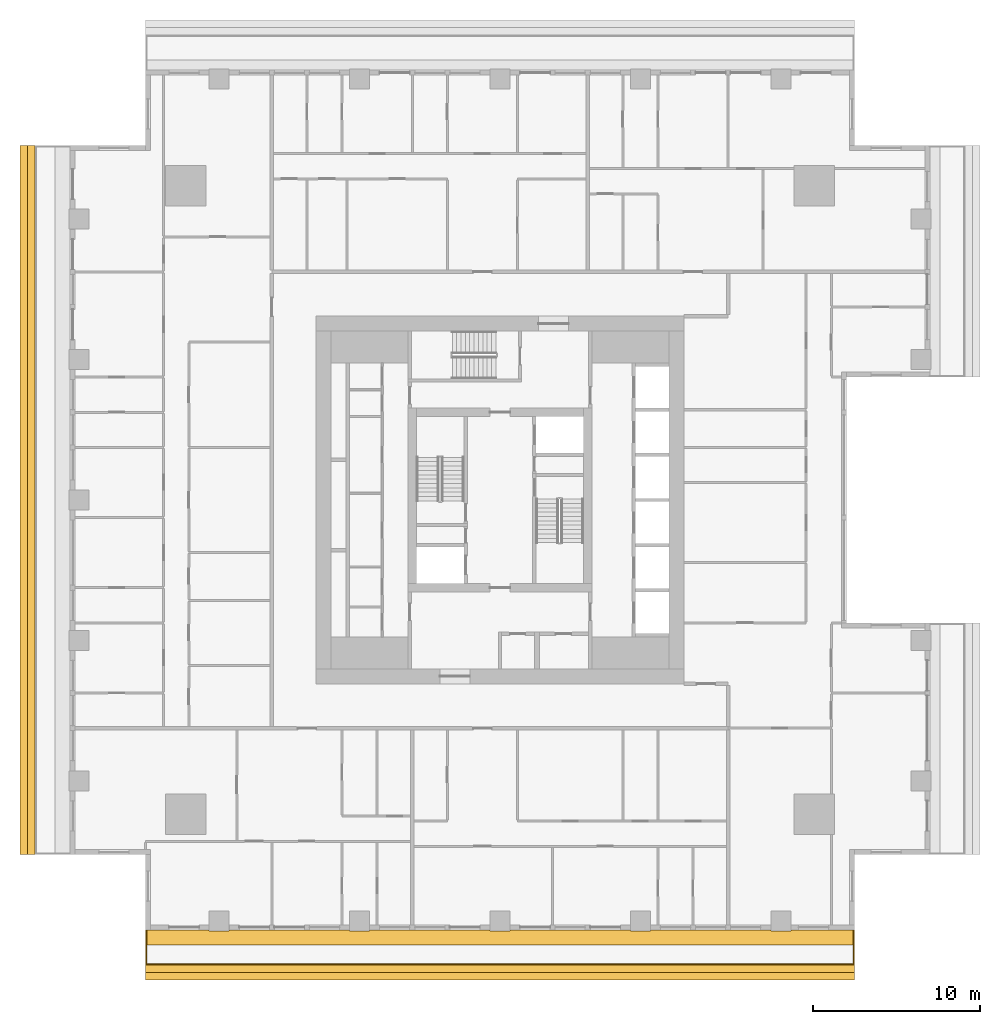
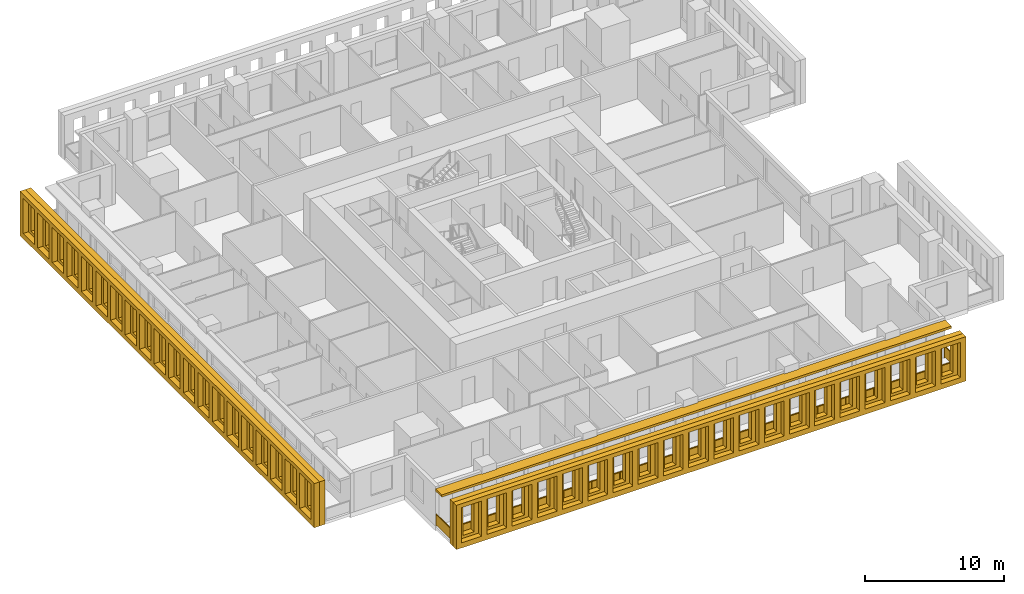
# One storey, part 11 of 16: 5 shading devices, 1 railing.
"""IFC4 building model written with IfcOpenShell, lengths in metres."""

import ifcopenshell
import ifcopenshell.guid

model = None  # the IFC model being written
_history = None  # IfcOwnerHistory: only IFC2X3 demands one
_inside = {}  # id of a spatial element -> (the spatial element, [elements in it])
_under = {}  # id of a project, library or spatial element -> (it, [spatial elements below it])
_declared = {}  # id of a project -> (the project, [libraries it declares])
_typed = {}  # id of a type object -> (the type object, [elements of that type])
_made_of = {}  # id of a material, layer set ... -> (it, [elements and type objects made of it])


def new_model(schema):
    """Start an empty IFC model of exactly this schema.

    Asked for "IFC4X3", IfcOpenShell would pick the latest addendum, in which some entities
    have other attributes; the version numbers below select the first issue.
    IFC2X3 requires an IfcOwnerHistory on every rooted entity: one is made here for all.
    """
    global model, _history
    if schema == "IFC4X3":
        model = ifcopenshell.file(schema_version=(4, 3, 0, 0))
    else:
        model = ifcopenshell.file(schema=schema)
    _inside.clear()
    _under.clear()
    _declared.clear()
    _typed.clear()
    _made_of.clear()
    _history = None
    if model.schema == "IFC2X3":
        org = make("IfcOrganization", Name="unknown")
        user = make(
            "IfcPersonAndOrganization",
            ThePerson=make("IfcPerson", FamilyName="unknown"),
            TheOrganization=org,
        )
        app = make(
            "IfcApplication",
            ApplicationDeveloper=org,
            Version="unknown",
            ApplicationFullName="unknown",
            ApplicationIdentifier="unknown",
        )
        _history = make(
            "IfcOwnerHistory",
            OwningUser=user,
            OwningApplication=app,
            ChangeAction="ADDED",
            CreationDate=0,
        )
    return model


def make(cls, **values):
    """One entity of the class cls with the attributes given. An attribute that is None is left unset."""
    return model.create_entity(
        cls, **{name: value for name, value in values.items() if value is not None}
    )


def rooted(cls, **values):
    """An entity with a GlobalId (a new one), such as an element, a storey or a relation."""
    return make(cls, GlobalId=ifcopenshell.guid.new(), OwnerHistory=_history, **values)


def si_unit(unit_type, name, prefix=None):
    """IfcSIUnit, for example si_unit("LENGTHUNIT", "METRE", prefix="MILLI")."""
    return make("IfcSIUnit", UnitType=unit_type, Prefix=prefix, Name=name)


def assignment(units):
    """IfcUnitAssignment: the units of a project."""
    return None if units is None else make("IfcUnitAssignment", Units=units)


def point(xyz):
    """IfcCartesianPoint."""
    return None if xyz is None else make("IfcCartesianPoint", Coordinates=xyz)


def direction(xyz):
    """IfcDirection."""
    return None if xyz is None else make("IfcDirection", DirectionRatios=xyz)


def frame(location, z_axis=None, x_axis=None):
    """IfcAxis2Placement3D, a coordinate frame: its origin and axes. An axis left out is left unset."""
    return make(
        "IfcAxis2Placement3D",
        Location=point(location),
        Axis=direction(z_axis),
        RefDirection=direction(x_axis),
    )


def frame_2d(location, x_axis=None):
    """IfcAxis2Placement2D, a coordinate frame in the plane: its origin and x axis."""
    return make(
        "IfcAxis2Placement2D", Location=point(location), RefDirection=direction(x_axis)
    )


def origin():
    """The frame at (0, 0, 0) with its axes left unset."""
    return frame((0.0, 0.0, 0.0))


def origin_2d():
    """The frame at (0, 0) in the plane with its x axis left unset."""
    return frame_2d((0.0, 0.0))


def place(relative_to, where):
    """IfcLocalPlacement: puts the frame where relative to a parent placement (None: the world)."""
    return make(
        "IfcLocalPlacement", PlacementRelTo=relative_to, RelativePlacement=where
    )


def context(
    kind, dimensions, precision=None, world=None, true_north=None, identifier=None
):
    """IfcGeometricRepresentationContext, for example the 3D "Model" context."""
    return make(
        "IfcGeometricRepresentationContext",
        ContextIdentifier=identifier,
        ContextType=kind,
        CoordinateSpaceDimension=dimensions,
        Precision=precision,
        WorldCoordinateSystem=world,
        TrueNorth=true_north,
    )


def subcontext(parent, identifier, kind, view, scale=None):
    """IfcGeometricRepresentationSubContext, for example "Body" below "Model"."""
    return make(
        "IfcGeometricRepresentationSubContext",
        ContextIdentifier=identifier,
        ContextType=kind,
        ParentContext=parent,
        TargetScale=scale,
        TargetView=view,
    )


def project(units=None, contexts=None):
    """IfcProject with its units and contexts."""
    return rooted(
        "IfcProject",
        Name="project",
        RepresentationContexts=contexts,
        UnitsInContext=assignment(units),
    )


def spatial(cls, under=None, at=None, **own):
    """A site, building, storey or space (cls), placed at a placement, below another one or the project."""
    s = rooted(cls, ObjectPlacement=at, **own)
    if under is not None:
        _under.setdefault(under.id(), (under, []))[1].append(s)
    return s


def polyline(points):
    """IfcPolyline through the points."""
    return make("IfcPolyline", Points=[point(p) for p in points])


def profile(cls, at=None, kind="AREA", **sizes):
    """A parametric profile (cls). Its sizes go by their IFC names, for example OverallWidth=200.0."""
    return make(cls, ProfileType=kind, Position=at, **sizes)


def rectangle(**sizes):
    """IfcRectangleProfileDef."""
    return profile("IfcRectangleProfileDef", **sizes)


def outline(outer, holes=None, kind="AREA"):
    """IfcArbitraryClosedProfileDef: a profile drawn as a closed curve; with holes, ...WithVoids."""
    if holes is None:
        return make("IfcArbitraryClosedProfileDef", ProfileType=kind, OuterCurve=outer)
    return make(
        "IfcArbitraryProfileDefWithVoids",
        ProfileType=kind,
        OuterCurve=outer,
        InnerCurves=holes,
    )


def extrude(swept, where, along, depth):
    """IfcExtrudedAreaSolid: the profile swept, set in the frame where, extruded along a direction by depth."""
    return make(
        "IfcExtrudedAreaSolid",
        SweptArea=swept,
        Position=where,
        ExtrudedDirection=direction(along),
        Depth=depth,
    )


def shape(context_of_items, identifier, shape_type, items):
    """IfcShapeRepresentation: the items that make up one representation, for example the "Body"."""
    return make(
        "IfcShapeRepresentation",
        ContextOfItems=context_of_items,
        RepresentationIdentifier=identifier,
        RepresentationType=shape_type,
        Items=items,
    )


def material(Name=None, Category=None):
    """IfcMaterial."""
    return make("IfcMaterial", Name=Name, Category=Category)


def layer(
    of_material, thickness, ventilated=None, Name=None, Category=None, Priority=None
):
    """IfcMaterialLayer: one layer of a wall or slab, of a material (None: an air gap)."""
    return make(
        "IfcMaterialLayer",
        Material=of_material,
        LayerThickness=thickness,
        IsVentilated=ventilated,
        Name=Name,
        Category=Category,
        Priority=Priority,
    )


def layer_set(layers, Name=None):
    """IfcMaterialLayerSet."""
    return make("IfcMaterialLayerSet", MaterialLayers=layers, LayerSetName=Name)


def made_of(thing, what):
    """Note that an element or type object is made of a material, layer set ...; save() writes the relation."""
    if what is not None:
        _made_of.setdefault(what.id(), (what, []))[1].append(thing)
    return thing


def type_object(cls, material=None, **own):
    """A type object (cls), such as IfcWallType, which elements share."""
    return made_of(rooted(cls, **own), material)


def element(
    cls,
    number,
    at=None,
    inside=None,
    cuts=None,
    type_object=None,
    material=None,
    context=None,
    identifier="Body",
    shape_type=None,
    held_by="IfcProductDefinitionShape",
    body=None,
    shapes=None,
    **own,
):
    """One element of the class cls, such as IfcWall. Its Tag is "e" and its number.

    at: its placement. inside: the storey or other place that contains it. cuts: it is an
    opening in that element (IfcRelVoidsElement). A single representation is given by context,
    identifier, shape_type and body (its items); several are given by shapes. held_by: the class
    of the entity that holds the representations. save() writes the other relations.
    """
    e = rooted(cls, Tag="e%d" % number, ObjectPlacement=at, **own)
    if body is not None:
        shapes = [shape(context, identifier, shape_type, body)]
    if shapes is not None:
        e.Representation = make(held_by, Representations=shapes)
    if inside is not None:
        _inside.setdefault(inside.id(), (inside, []))[1].append(e)
    if cuts is not None:
        rooted(
            "IfcRelVoidsElement", RelatingBuildingElement=cuts, RelatedOpeningElement=e
        )
    if type_object is not None:
        _typed.setdefault(type_object.id(), (type_object, []))[1].append(e)
    return made_of(e, material)


def aggregate(whole, parts):
    """IfcRelAggregates: a whole, such as a stair, and the parts it consists of."""
    return rooted("IfcRelAggregates", RelatingObject=whole, RelatedObjects=parts)


def save(model, path):
    """Write the relations noted so far, then the file.

    IfcRelAggregates (storeys below a building ...), IfcRelContainedInSpatialStructure (elements
    in a storey), IfcRelDefinesByType, IfcRelAssociatesMaterial and IfcRelDeclares: one each for
    every whole, place, type object, material and project.
    """
    for whole, parts in _under.values():
        aggregate(whole, parts)
    for where, things in _inside.values():
        rooted(
            "IfcRelContainedInSpatialStructure",
            RelatedElements=things,
            RelatingStructure=where,
        )
    for kind, things in _typed.values():
        rooted("IfcRelDefinesByType", RelatedObjects=things, RelatingType=kind)
    for what, things in _made_of.values():
        rooted("IfcRelAssociatesMaterial", RelatedObjects=things, RelatingMaterial=what)
    for by, libraries in _declared.values():
        rooted("IfcRelDeclares", RelatingContext=by, RelatedDefinitions=libraries)
    model.write(path)


model = new_model("IFC4")

# Units and contexts
model_context = context("Model", 3, precision=1e-05, world=origin(), true_north=direction((0.0, 1.0)))
body_context = subcontext(model_context, "Body", "Model", "MODEL_VIEW")
ifc_project = project(units=[si_unit("LENGTHUNIT", "METRE"), si_unit("AREAUNIT", "SQUARE_METRE"), si_unit("VOLUMEUNIT", "CUBIC_METRE"), si_unit("PLANEANGLEUNIT", "RADIAN"), si_unit("MASSUNIT", "GRAM", prefix="KILO")], contexts=[model_context])

# Site, building, storey
site_placement = place(None, origin())
site = spatial("IfcSite", under=ifc_project, at=site_placement, CompositionType="ELEMENT")
building_placement = place(site_placement, origin())
building = spatial("IfcBuilding", under=site, at=building_placement, Name="Khepri Terraces", CompositionType="ELEMENT")
storey_placement = place(building_placement, frame((0.0, 0.0, 207.89990234375)))
storey = spatial("IfcBuildingStorey", under=building, at=storey_placement, Name="L49", CompositionType="ELEMENT", Elevation=207.89990234375)

# Railing
ifc_material_1 = material(Name="Stainless steel grade 316", Category="steel")
railing_type = type_object("IfcRailingType", Name="GRD-BAL-1100", PredefinedType="GUARDRAIL", material=ifc_material_1)
railing_placement = place(storey_placement, frame((-21.169921875, -25.719970703125, 0.0)))
element("IfcRailing", 1, at=railing_placement, inside=storey, type_object=railing_type, Name="Balcony guard L49 S", PredefinedType="GUARDRAIL", context=body_context, shape_type="SweptSolid", body=[
    extrude(rectangle(XDim=0.050048828125, YDim=0.06005859375, at=origin_2d()), frame((0.0, 0.0, 1.070068359375), z_axis=(0.0, -1.0, 0.0), x_axis=(1.0, 0.0, 0.0)), (0.0, 0.0, 1.0), 2.050048828125),
    extrude(rectangle(XDim=2.0, YDim=0.011962890625, at=origin_2d()), frame((0.0, -1.02490234375, 0.10009765625), z_axis=(0.0, 0.0, 1.0), x_axis=(0.0, -1.0, 0.0)), (0.0, 0.0, 1.0), 0.93994140625),
    extrude(rectangle(XDim=0.050048828125, YDim=0.06005859375, at=origin_2d()), frame((0.0, -2.050048828125, 1.070068359375), z_axis=(1.0, 0.0, 0.0), x_axis=(0.0, 1.0, 0.0)), (0.0, 0.0, 1.0), 42.33984375),
    extrude(rectangle(XDim=2.30224609375, YDim=0.011962890625, at=origin_2d()), frame((1.176025390625, -2.050048828125, 0.10009765625), z_axis=(0.0, 0.0, 1.0), x_axis=(1.0, 0.0, 0.0)), (0.0, 0.0, 1.0), 0.93994140625),
    extrude(rectangle(XDim=2.30224609375, YDim=0.011962890625, at=origin_2d()), frame((3.5283203125, -2.050048828125, 0.10009765625), z_axis=(0.0, 0.0, 1.0), x_axis=(1.0, 0.0, 0.0)), (0.0, 0.0, 1.0), 0.93994140625),
    extrude(rectangle(XDim=2.30224609375, YDim=0.011962890625, at=origin_2d()), frame((5.880615234375, -2.050048828125, 0.10009765625), z_axis=(0.0, 0.0, 1.0), x_axis=(1.0, 0.0, 0.0)), (0.0, 0.0, 1.0), 0.93994140625),
    extrude(rectangle(XDim=2.30224609375, YDim=0.011962890625, at=origin_2d()), frame((8.232666015625, -2.050048828125, 0.10009765625), z_axis=(0.0, 0.0, 1.0), x_axis=(1.0, 0.0, 0.0)), (0.0, 0.0, 1.0), 0.93994140625),
    extrude(rectangle(XDim=2.30224609375, YDim=0.011962890625, at=origin_2d()), frame((10.5849609375, -2.050048828125, 0.10009765625), z_axis=(0.0, 0.0, 1.0), x_axis=(1.0, 0.0, 0.0)), (0.0, 0.0, 1.0), 0.93994140625),
    extrude(rectangle(XDim=2.30224609375, YDim=0.011962890625, at=origin_2d()), frame((12.937255859375, -2.050048828125, 0.10009765625), z_axis=(0.0, 0.0, 1.0), x_axis=(1.0, 0.0, 0.0)), (0.0, 0.0, 1.0), 0.93994140625),
    extrude(rectangle(XDim=2.30224609375, YDim=0.011962890625, at=origin_2d()), frame((15.289306640625, -2.050048828125, 0.10009765625), z_axis=(0.0, 0.0, 1.0), x_axis=(1.0, 0.0, 0.0)), (0.0, 0.0, 1.0), 0.93994140625),
    extrude(rectangle(XDim=2.30224609375, YDim=0.011962890625, at=origin_2d()), frame((17.6416015625, -2.050048828125, 0.10009765625), z_axis=(0.0, 0.0, 1.0), x_axis=(1.0, 0.0, 0.0)), (0.0, 0.0, 1.0), 0.93994140625),
    extrude(rectangle(XDim=2.30224609375, YDim=0.011962890625, at=origin_2d()), frame((19.993896484375, -2.050048828125, 0.10009765625), z_axis=(0.0, 0.0, 1.0), x_axis=(1.0, 0.0, 0.0)), (0.0, 0.0, 1.0), 0.93994140625),
    extrude(rectangle(XDim=2.30224609375, YDim=0.011962890625, at=origin_2d()), frame((22.345947265625, -2.050048828125, 0.10009765625), z_axis=(0.0, 0.0, 1.0), x_axis=(1.0, 0.0, 0.0)), (0.0, 0.0, 1.0), 0.93994140625),
    extrude(rectangle(XDim=2.30224609375, YDim=0.011962890625, at=origin_2d()), frame((24.6982421875, -2.050048828125, 0.10009765625), z_axis=(0.0, 0.0, 1.0), x_axis=(1.0, 0.0, 0.0)), (0.0, 0.0, 1.0), 0.93994140625),
    extrude(rectangle(XDim=2.30224609375, YDim=0.011962890625, at=origin_2d()), frame((27.050537109375, -2.050048828125, 0.10009765625), z_axis=(0.0, 0.0, 1.0), x_axis=(1.0, 0.0, 0.0)), (0.0, 0.0, 1.0), 0.93994140625),
    extrude(rectangle(XDim=2.30224609375, YDim=0.011962890625, at=origin_2d()), frame((29.402587890625, -2.050048828125, 0.10009765625), z_axis=(0.0, 0.0, 1.0), x_axis=(1.0, 0.0, 0.0)), (0.0, 0.0, 1.0), 0.93994140625),
    extrude(rectangle(XDim=2.30224609375, YDim=0.011962890625, at=origin_2d()), frame((31.7548828125, -2.050048828125, 0.10009765625), z_axis=(0.0, 0.0, 1.0), x_axis=(1.0, 0.0, 0.0)), (0.0, 0.0, 1.0), 0.93994140625),
    extrude(rectangle(XDim=2.30224609375, YDim=0.011962890625, at=origin_2d()), frame((34.107177734375, -2.050048828125, 0.10009765625), z_axis=(0.0, 0.0, 1.0), x_axis=(1.0, 0.0, 0.0)), (0.0, 0.0, 1.0), 0.93994140625),
    extrude(rectangle(XDim=2.30224609375, YDim=0.011962890625, at=origin_2d()), frame((36.459228515625, -2.050048828125, 0.10009765625), z_axis=(0.0, 0.0, 1.0), x_axis=(1.0, 0.0, 0.0)), (0.0, 0.0, 1.0), 0.93994140625),
    extrude(rectangle(XDim=2.30224609375, YDim=0.011962890625, at=origin_2d()), frame((38.8115234375, -2.050048828125, 0.10009765625), z_axis=(0.0, 0.0, 1.0), x_axis=(1.0, 0.0, 0.0)), (0.0, 0.0, 1.0), 0.93994140625),
    extrude(rectangle(XDim=2.30224609375, YDim=0.011962890625, at=origin_2d()), frame((41.163818359375, -2.050048828125, 0.10009765625), z_axis=(0.0, 0.0, 1.0), x_axis=(1.0, 0.0, 0.0)), (0.0, 0.0, 1.0), 0.93994140625),
    extrude(rectangle(XDim=0.050048828125, YDim=0.06005859375, at=origin_2d()), frame((42.33984375, -2.050048828125, 1.070068359375), z_axis=(0.0, 1.0, 0.0), x_axis=(-1.0, 0.0, 0.0)), (0.0, 0.0, 1.0), 2.050048828125),
    extrude(rectangle(XDim=2.0, YDim=0.011962890625, at=origin_2d()), frame((42.33984375, -1.02490234375, 0.10009765625), z_axis=(0.0, 0.0, 1.0), x_axis=(0.0, 1.0, 0.0)), (0.0, 0.0, 1.0), 0.93994140625),
    extrude(rectangle(XDim=0.050048828125, YDim=0.050048828125, at=origin_2d()), origin(), (0.0, 0.0, 1.0), 1.0400390625),
    extrude(rectangle(XDim=0.050048828125, YDim=0.050048828125, at=origin_2d()), frame((0.0, -2.050048828125, 0.0)), (0.0, 0.0, 1.0), 1.0400390625),
    extrude(rectangle(XDim=0.050048828125, YDim=0.050048828125, at=origin_2d()), frame((2.352294921875, -2.050048828125, 0.0)), (0.0, 0.0, 1.0), 1.0400390625),
    extrude(rectangle(XDim=0.050048828125, YDim=0.050048828125, at=origin_2d()), frame((4.704345703125, -2.050048828125, 0.0)), (0.0, 0.0, 1.0), 1.0400390625),
    extrude(rectangle(XDim=0.050048828125, YDim=0.050048828125, at=origin_2d()), frame((7.056640625, -2.050048828125, 0.0)), (0.0, 0.0, 1.0), 1.0400390625),
    extrude(rectangle(XDim=0.050048828125, YDim=0.050048828125, at=origin_2d()), frame((9.408935546875, -2.050048828125, 0.0)), (0.0, 0.0, 1.0), 1.0400390625),
    extrude(rectangle(XDim=0.050048828125, YDim=0.050048828125, at=origin_2d()), frame((11.760986328125, -2.050048828125, 0.0)), (0.0, 0.0, 1.0), 1.0400390625),
    extrude(rectangle(XDim=0.050048828125, YDim=0.050048828125, at=origin_2d()), frame((14.11328125, -2.050048828125, 0.0)), (0.0, 0.0, 1.0), 1.0400390625),
    extrude(rectangle(XDim=0.050048828125, YDim=0.050048828125, at=origin_2d()), frame((16.465576171875, -2.050048828125, 0.0)), (0.0, 0.0, 1.0), 1.0400390625),
    extrude(rectangle(XDim=0.050048828125, YDim=0.050048828125, at=origin_2d()), frame((18.817626953125, -2.050048828125, 0.0)), (0.0, 0.0, 1.0), 1.0400390625),
    extrude(rectangle(XDim=0.050048828125, YDim=0.050048828125, at=origin_2d()), frame((21.169921875, -2.050048828125, 0.0)), (0.0, 0.0, 1.0), 1.0400390625),
    extrude(rectangle(XDim=0.050048828125, YDim=0.050048828125, at=origin_2d()), frame((23.522216796875, -2.050048828125, 0.0)), (0.0, 0.0, 1.0), 1.0400390625),
    extrude(rectangle(XDim=0.050048828125, YDim=0.050048828125, at=origin_2d()), frame((25.874267578125, -2.050048828125, 0.0)), (0.0, 0.0, 1.0), 1.0400390625),
    extrude(rectangle(XDim=0.050048828125, YDim=0.050048828125, at=origin_2d()), frame((28.2265625, -2.050048828125, 0.0)), (0.0, 0.0, 1.0), 1.0400390625),
    extrude(rectangle(XDim=0.050048828125, YDim=0.050048828125, at=origin_2d()), frame((30.578857421875, -2.050048828125, 0.0)), (0.0, 0.0, 1.0), 1.0400390625),
    extrude(rectangle(XDim=0.050048828125, YDim=0.050048828125, at=origin_2d()), frame((32.930908203125, -2.050048828125, 0.0)), (0.0, 0.0, 1.0), 1.0400390625),
    extrude(rectangle(XDim=0.050048828125, YDim=0.050048828125, at=origin_2d()), frame((35.283203125, -2.050048828125, 0.0)), (0.0, 0.0, 1.0), 1.0400390625),
    extrude(rectangle(XDim=0.050048828125, YDim=0.050048828125, at=origin_2d()), frame((37.635498046875, -2.050048828125, 0.0)), (0.0, 0.0, 1.0), 1.0400390625),
    extrude(rectangle(XDim=0.050048828125, YDim=0.050048828125, at=origin_2d()), frame((39.987548828125, -2.050048828125, 0.0)), (0.0, 0.0, 1.0), 1.0400390625),
    extrude(rectangle(XDim=0.050048828125, YDim=0.050048828125, at=origin_2d()), frame((42.33984375, -2.050048828125, 0.0)), (0.0, 0.0, 1.0), 1.0400390625),
    extrude(rectangle(XDim=0.050048828125, YDim=0.050048828125, at=origin_2d()), frame((42.33984375, 0.0, 0.0)), (0.0, 0.0, 1.0), 1.0400390625),
])

# Shading devices
ifc_material_2 = material(Name="Precast concrete C50/60 warm stone", Category="masonry")
shading_device_type_1 = type_object("IfcShadingDeviceType", Name="SCR-CELL-INNER-450", PredefinedType="USERDEFINED", material=ifc_material_2)
shading_device_1_placement = place(storey_placement, frame((-21.219970703125, -27.820068359375, -0.25), z_axis=(0.0, -1.0, 0.0), x_axis=(1.0, 0.0, 0.0)))
element("IfcShadingDevice", 2, at=shading_device_1_placement, inside=storey, type_object=shading_device_type_1, Name="Cell screen L49 S in", ObjectType="SCREEN", PredefinedType="USERDEFINED", context=body_context, shape_type="SweptSolid", body=[
    extrude(outline(polyline([(0.0, 0.0), (42.43994140625, 0.0), (42.43994140625, 3.89990234375), (0.0, 3.89990234375), (0.0, 0.0)]), holes=[polyline([(0.797607421875, 0.699951171875), (1.742431640625, 0.699951171875), (1.742431640625, 3.300048828125), (0.797607421875, 3.300048828125), (0.797607421875, 0.699951171875)]), polyline([(2.8974609375, 0.699951171875), (3.842529296875, 0.699951171875), (3.842529296875, 3.300048828125), (2.8974609375, 3.300048828125), (2.8974609375, 0.699951171875)]), polyline([(4.99755859375, 0.699951171875), (5.9423828125, 0.699951171875), (5.9423828125, 3.300048828125), (4.99755859375, 3.300048828125), (4.99755859375, 0.699951171875)]), polyline([(7.097412109375, 0.699951171875), (8.04248046875, 0.699951171875), (8.04248046875, 3.300048828125), (7.097412109375, 3.300048828125), (7.097412109375, 0.699951171875)]), polyline([(9.197509765625, 0.699951171875), (10.142578125, 0.699951171875), (10.142578125, 3.300048828125), (9.197509765625, 3.300048828125), (9.197509765625, 0.699951171875)]), polyline([(11.297607421875, 0.699951171875), (12.242431640625, 0.699951171875), (12.242431640625, 3.300048828125), (11.297607421875, 3.300048828125), (11.297607421875, 0.699951171875)]), polyline([(13.3974609375, 0.699951171875), (14.342529296875, 0.699951171875), (14.342529296875, 3.300048828125), (13.3974609375, 3.300048828125), (13.3974609375, 0.699951171875)]), polyline([(15.49755859375, 0.699951171875), (16.4423828125, 0.699951171875), (16.4423828125, 3.300048828125), (15.49755859375, 3.300048828125), (15.49755859375, 0.699951171875)]), polyline([(17.597412109375, 0.699951171875), (18.54248046875, 0.699951171875), (18.54248046875, 3.300048828125), (17.597412109375, 3.300048828125), (17.597412109375, 0.699951171875)]), polyline([(19.697509765625, 0.699951171875), (20.642578125, 0.699951171875), (20.642578125, 3.300048828125), (19.697509765625, 3.300048828125), (19.697509765625, 0.699951171875)]), polyline([(21.797607421875, 0.699951171875), (22.742431640625, 0.699951171875), (22.742431640625, 3.300048828125), (21.797607421875, 3.300048828125), (21.797607421875, 0.699951171875)]), polyline([(23.8974609375, 0.699951171875), (24.842529296875, 0.699951171875), (24.842529296875, 3.300048828125), (23.8974609375, 3.300048828125), (23.8974609375, 0.699951171875)]), polyline([(25.99755859375, 0.699951171875), (26.9423828125, 0.699951171875), (26.9423828125, 3.300048828125), (25.99755859375, 3.300048828125), (25.99755859375, 0.699951171875)]), polyline([(28.097412109375, 0.699951171875), (29.04248046875, 0.699951171875), (29.04248046875, 3.300048828125), (28.097412109375, 3.300048828125), (28.097412109375, 0.699951171875)]), polyline([(30.197509765625, 0.699951171875), (31.142578125, 0.699951171875), (31.142578125, 3.300048828125), (30.197509765625, 3.300048828125), (30.197509765625, 0.699951171875)]), polyline([(32.297607421875, 0.699951171875), (33.242431640625, 0.699951171875), (33.242431640625, 3.300048828125), (32.297607421875, 3.300048828125), (32.297607421875, 0.699951171875)]), polyline([(34.3974609375, 0.699951171875), (35.342529296875, 0.699951171875), (35.342529296875, 3.300048828125), (34.3974609375, 3.300048828125), (34.3974609375, 0.699951171875)]), polyline([(36.49755859375, 0.699951171875), (37.4423828125, 0.699951171875), (37.4423828125, 3.300048828125), (36.49755859375, 3.300048828125), (36.49755859375, 0.699951171875)]), polyline([(38.597412109375, 0.699951171875), (39.54248046875, 0.699951171875), (39.54248046875, 3.300048828125), (38.597412109375, 3.300048828125), (38.597412109375, 0.699951171875)]), polyline([(40.697509765625, 0.699951171875), (41.642578125, 0.699951171875), (41.642578125, 3.300048828125), (40.697509765625, 3.300048828125), (40.697509765625, 0.699951171875)])]), origin(), (0.0, 0.0, 1.0), 0.449951171875),
])
shading_device_2_placement = place(storey_placement, frame((-27.820068359375, 21.219970703125, -0.25), z_axis=(-1.0, 0.0, 0.0), x_axis=(0.0, -1.0, 0.0)))
element("IfcShadingDevice", 3, at=shading_device_2_placement, inside=storey, type_object=shading_device_type_1, Name="Cell screen L49 W in", ObjectType="SCREEN", PredefinedType="USERDEFINED", context=body_context, shape_type="SweptSolid", body=[
    extrude(outline(polyline([(0.0, 0.0), (42.43994140625, 0.0), (42.43994140625, 3.89990234375), (0.0, 3.89990234375), (0.0, 0.0)]), holes=[polyline([(0.797607421875, 0.699951171875), (1.742431640625, 0.699951171875), (1.742431640625, 3.300048828125), (0.797607421875, 3.300048828125), (0.797607421875, 0.699951171875)]), polyline([(2.8974609375, 0.699951171875), (3.842529296875, 0.699951171875), (3.842529296875, 3.300048828125), (2.8974609375, 3.300048828125), (2.8974609375, 0.699951171875)]), polyline([(4.99755859375, 0.699951171875), (5.9423828125, 0.699951171875), (5.9423828125, 3.300048828125), (4.99755859375, 3.300048828125), (4.99755859375, 0.699951171875)]), polyline([(7.097412109375, 0.699951171875), (8.04248046875, 0.699951171875), (8.04248046875, 3.300048828125), (7.097412109375, 3.300048828125), (7.097412109375, 0.699951171875)]), polyline([(9.197509765625, 0.699951171875), (10.142578125, 0.699951171875), (10.142578125, 3.300048828125), (9.197509765625, 3.300048828125), (9.197509765625, 0.699951171875)]), polyline([(11.297607421875, 0.699951171875), (12.242431640625, 0.699951171875), (12.242431640625, 3.300048828125), (11.297607421875, 3.300048828125), (11.297607421875, 0.699951171875)]), polyline([(13.3974609375, 0.699951171875), (14.342529296875, 0.699951171875), (14.342529296875, 3.300048828125), (13.3974609375, 3.300048828125), (13.3974609375, 0.699951171875)]), polyline([(15.49755859375, 0.699951171875), (16.4423828125, 0.699951171875), (16.4423828125, 3.300048828125), (15.49755859375, 3.300048828125), (15.49755859375, 0.699951171875)]), polyline([(17.597412109375, 0.699951171875), (18.54248046875, 0.699951171875), (18.54248046875, 3.300048828125), (17.597412109375, 3.300048828125), (17.597412109375, 0.699951171875)]), polyline([(19.697509765625, 0.699951171875), (20.642578125, 0.699951171875), (20.642578125, 3.300048828125), (19.697509765625, 3.300048828125), (19.697509765625, 0.699951171875)]), polyline([(21.797607421875, 0.699951171875), (22.742431640625, 0.699951171875), (22.742431640625, 3.300048828125), (21.797607421875, 3.300048828125), (21.797607421875, 0.699951171875)]), polyline([(23.8974609375, 0.699951171875), (24.842529296875, 0.699951171875), (24.842529296875, 3.300048828125), (23.8974609375, 3.300048828125), (23.8974609375, 0.699951171875)]), polyline([(25.99755859375, 0.699951171875), (26.9423828125, 0.699951171875), (26.9423828125, 3.300048828125), (25.99755859375, 3.300048828125), (25.99755859375, 0.699951171875)]), polyline([(28.097412109375, 0.699951171875), (29.04248046875, 0.699951171875), (29.04248046875, 3.300048828125), (28.097412109375, 3.300048828125), (28.097412109375, 0.699951171875)]), polyline([(30.197509765625, 0.699951171875), (31.142578125, 0.699951171875), (31.142578125, 3.300048828125), (30.197509765625, 3.300048828125), (30.197509765625, 0.699951171875)]), polyline([(32.297607421875, 0.699951171875), (33.242431640625, 0.699951171875), (33.242431640625, 3.300048828125), (32.297607421875, 3.300048828125), (32.297607421875, 0.699951171875)]), polyline([(34.3974609375, 0.699951171875), (35.342529296875, 0.699951171875), (35.342529296875, 3.300048828125), (34.3974609375, 3.300048828125), (34.3974609375, 0.699951171875)]), polyline([(36.49755859375, 0.699951171875), (37.4423828125, 0.699951171875), (37.4423828125, 3.300048828125), (36.49755859375, 3.300048828125), (36.49755859375, 0.699951171875)]), polyline([(38.597412109375, 0.699951171875), (39.54248046875, 0.699951171875), (39.54248046875, 3.300048828125), (38.597412109375, 3.300048828125), (38.597412109375, 0.699951171875)]), polyline([(40.697509765625, 0.699951171875), (41.642578125, 0.699951171875), (41.642578125, 3.300048828125), (40.697509765625, 3.300048828125), (40.697509765625, 0.699951171875)])]), origin(), (0.0, 0.0, 1.0), 0.449951171875),
])
shading_device_type_2 = type_object("IfcShadingDeviceType", Name="SCR-CELL-OUTER-450", PredefinedType="USERDEFINED", material=ifc_material_2)
shading_device_3_placement = place(storey_placement, frame((-21.219970703125, -28.27001953125, -0.25), z_axis=(0.0, -1.0, 0.0), x_axis=(1.0, 0.0, 0.0)))
element("IfcShadingDevice", 4, at=shading_device_3_placement, inside=storey, type_object=shading_device_type_2, Name="Cell screen L49 S out", ObjectType="SCREEN", PredefinedType="USERDEFINED", context=body_context, shape_type="SweptSolid", body=[
    extrude(outline(polyline([(0.0, 0.0), (42.43994140625, 0.0), (42.43994140625, 3.89990234375), (0.0, 3.89990234375), (0.0, 0.0)]), holes=[polyline([(0.447509765625, 0.449951171875), (2.092529296875, 0.449951171875), (2.092529296875, 3.550048828125), (0.447509765625, 3.550048828125), (0.447509765625, 0.449951171875)]), polyline([(2.547607421875, 0.449951171875), (4.1923828125, 0.449951171875), (4.1923828125, 3.550048828125), (2.547607421875, 3.550048828125), (2.547607421875, 0.449951171875)]), polyline([(4.6474609375, 0.449951171875), (6.29248046875, 0.449951171875), (6.29248046875, 3.550048828125), (4.6474609375, 3.550048828125), (4.6474609375, 0.449951171875)]), polyline([(6.74755859375, 0.449951171875), (8.392578125, 0.449951171875), (8.392578125, 3.550048828125), (6.74755859375, 3.550048828125), (6.74755859375, 0.449951171875)]), polyline([(8.847412109375, 0.449951171875), (10.492431640625, 0.449951171875), (10.492431640625, 3.550048828125), (8.847412109375, 3.550048828125), (8.847412109375, 0.449951171875)]), polyline([(10.947509765625, 0.449951171875), (12.592529296875, 0.449951171875), (12.592529296875, 3.550048828125), (10.947509765625, 3.550048828125), (10.947509765625, 0.449951171875)]), polyline([(13.047607421875, 0.449951171875), (14.6923828125, 0.449951171875), (14.6923828125, 3.550048828125), (13.047607421875, 3.550048828125), (13.047607421875, 0.449951171875)]), polyline([(15.1474609375, 0.449951171875), (16.79248046875, 0.449951171875), (16.79248046875, 3.550048828125), (15.1474609375, 3.550048828125), (15.1474609375, 0.449951171875)]), polyline([(17.24755859375, 0.449951171875), (18.892578125, 0.449951171875), (18.892578125, 3.550048828125), (17.24755859375, 3.550048828125), (17.24755859375, 0.449951171875)]), polyline([(19.347412109375, 0.449951171875), (20.992431640625, 0.449951171875), (20.992431640625, 3.550048828125), (19.347412109375, 3.550048828125), (19.347412109375, 0.449951171875)]), polyline([(21.447509765625, 0.449951171875), (23.092529296875, 0.449951171875), (23.092529296875, 3.550048828125), (21.447509765625, 3.550048828125), (21.447509765625, 0.449951171875)]), polyline([(23.547607421875, 0.449951171875), (25.1923828125, 0.449951171875), (25.1923828125, 3.550048828125), (23.547607421875, 3.550048828125), (23.547607421875, 0.449951171875)]), polyline([(25.6474609375, 0.449951171875), (27.29248046875, 0.449951171875), (27.29248046875, 3.550048828125), (25.6474609375, 3.550048828125), (25.6474609375, 0.449951171875)]), polyline([(27.74755859375, 0.449951171875), (29.392578125, 0.449951171875), (29.392578125, 3.550048828125), (27.74755859375, 3.550048828125), (27.74755859375, 0.449951171875)]), polyline([(29.847412109375, 0.449951171875), (31.492431640625, 0.449951171875), (31.492431640625, 3.550048828125), (29.847412109375, 3.550048828125), (29.847412109375, 0.449951171875)]), polyline([(31.947509765625, 0.449951171875), (33.592529296875, 0.449951171875), (33.592529296875, 3.550048828125), (31.947509765625, 3.550048828125), (31.947509765625, 0.449951171875)]), polyline([(34.047607421875, 0.449951171875), (35.6923828125, 0.449951171875), (35.6923828125, 3.550048828125), (34.047607421875, 3.550048828125), (34.047607421875, 0.449951171875)]), polyline([(36.1474609375, 0.449951171875), (37.79248046875, 0.449951171875), (37.79248046875, 3.550048828125), (36.1474609375, 3.550048828125), (36.1474609375, 0.449951171875)]), polyline([(38.24755859375, 0.449951171875), (39.892578125, 0.449951171875), (39.892578125, 3.550048828125), (38.24755859375, 3.550048828125), (38.24755859375, 0.449951171875)]), polyline([(40.347412109375, 0.449951171875), (41.992431640625, 0.449951171875), (41.992431640625, 3.550048828125), (40.347412109375, 3.550048828125), (40.347412109375, 0.449951171875)])]), origin(), (0.0, 0.0, 1.0), 0.449951171875),
])
shading_device_4_placement = place(storey_placement, frame((-28.27001953125, 21.219970703125, -0.25), z_axis=(-1.0, 0.0, 0.0), x_axis=(0.0, -1.0, 0.0)))
element("IfcShadingDevice", 5, at=shading_device_4_placement, inside=storey, type_object=shading_device_type_2, Name="Cell screen L49 W out", ObjectType="SCREEN", PredefinedType="USERDEFINED", context=body_context, shape_type="SweptSolid", body=[
    extrude(outline(polyline([(0.0, 0.0), (42.43994140625, 0.0), (42.43994140625, 3.89990234375), (0.0, 3.89990234375), (0.0, 0.0)]), holes=[polyline([(0.447509765625, 0.449951171875), (2.092529296875, 0.449951171875), (2.092529296875, 3.550048828125), (0.447509765625, 3.550048828125), (0.447509765625, 0.449951171875)]), polyline([(2.547607421875, 0.449951171875), (4.1923828125, 0.449951171875), (4.1923828125, 3.550048828125), (2.547607421875, 3.550048828125), (2.547607421875, 0.449951171875)]), polyline([(4.6474609375, 0.449951171875), (6.29248046875, 0.449951171875), (6.29248046875, 3.550048828125), (4.6474609375, 3.550048828125), (4.6474609375, 0.449951171875)]), polyline([(6.74755859375, 0.449951171875), (8.392578125, 0.449951171875), (8.392578125, 3.550048828125), (6.74755859375, 3.550048828125), (6.74755859375, 0.449951171875)]), polyline([(8.847412109375, 0.449951171875), (10.492431640625, 0.449951171875), (10.492431640625, 3.550048828125), (8.847412109375, 3.550048828125), (8.847412109375, 0.449951171875)]), polyline([(10.947509765625, 0.449951171875), (12.592529296875, 0.449951171875), (12.592529296875, 3.550048828125), (10.947509765625, 3.550048828125), (10.947509765625, 0.449951171875)]), polyline([(13.047607421875, 0.449951171875), (14.6923828125, 0.449951171875), (14.6923828125, 3.550048828125), (13.047607421875, 3.550048828125), (13.047607421875, 0.449951171875)]), polyline([(15.1474609375, 0.449951171875), (16.79248046875, 0.449951171875), (16.79248046875, 3.550048828125), (15.1474609375, 3.550048828125), (15.1474609375, 0.449951171875)]), polyline([(17.24755859375, 0.449951171875), (18.892578125, 0.449951171875), (18.892578125, 3.550048828125), (17.24755859375, 3.550048828125), (17.24755859375, 0.449951171875)]), polyline([(19.347412109375, 0.449951171875), (20.992431640625, 0.449951171875), (20.992431640625, 3.550048828125), (19.347412109375, 3.550048828125), (19.347412109375, 0.449951171875)]), polyline([(21.447509765625, 0.449951171875), (23.092529296875, 0.449951171875), (23.092529296875, 3.550048828125), (21.447509765625, 3.550048828125), (21.447509765625, 0.449951171875)]), polyline([(23.547607421875, 0.449951171875), (25.1923828125, 0.449951171875), (25.1923828125, 3.550048828125), (23.547607421875, 3.550048828125), (23.547607421875, 0.449951171875)]), polyline([(25.6474609375, 0.449951171875), (27.29248046875, 0.449951171875), (27.29248046875, 3.550048828125), (25.6474609375, 3.550048828125), (25.6474609375, 0.449951171875)]), polyline([(27.74755859375, 0.449951171875), (29.392578125, 0.449951171875), (29.392578125, 3.550048828125), (27.74755859375, 3.550048828125), (27.74755859375, 0.449951171875)]), polyline([(29.847412109375, 0.449951171875), (31.492431640625, 0.449951171875), (31.492431640625, 3.550048828125), (29.847412109375, 3.550048828125), (29.847412109375, 0.449951171875)]), polyline([(31.947509765625, 0.449951171875), (33.592529296875, 0.449951171875), (33.592529296875, 3.550048828125), (31.947509765625, 3.550048828125), (31.947509765625, 0.449951171875)]), polyline([(34.047607421875, 0.449951171875), (35.6923828125, 0.449951171875), (35.6923828125, 3.550048828125), (34.047607421875, 3.550048828125), (34.047607421875, 0.449951171875)]), polyline([(36.1474609375, 0.449951171875), (37.79248046875, 0.449951171875), (37.79248046875, 3.550048828125), (36.1474609375, 3.550048828125), (36.1474609375, 0.449951171875)]), polyline([(38.24755859375, 0.449951171875), (39.892578125, 0.449951171875), (39.892578125, 3.550048828125), (38.24755859375, 3.550048828125), (38.24755859375, 0.449951171875)]), polyline([(40.347412109375, 0.449951171875), (41.992431640625, 0.449951171875), (41.992431640625, 3.550048828125), (40.347412109375, 3.550048828125), (40.347412109375, 0.449951171875)])]), origin(), (0.0, 0.0, 1.0), 0.449951171875),
])
ifc_layer = layer(ifc_material_2, 0.199951171875, Name="Precast concrete C50/60 warm stone", Category="masonry")
ifc_layer_set = layer_set([ifc_layer], Name="Precast concrete C50/60 warm stone")
shading_device_type_3 = type_object("IfcShadingDeviceType", Name="SSH-BAND-STONE-200", PredefinedType="USERDEFINED", material=ifc_layer_set)
shading_device_5_placement = place(storey_placement, frame((0.0, 0.0, 3.10009765625)))
element("IfcShadingDevice", 6, at=shading_device_5_placement, inside=storey, type_object=shading_device_type_3, Name="Sunshade band L49 S", ObjectType="SUNSHADE", PredefinedType="USERDEFINED", context=body_context, shape_type="SweptSolid", body=[
    extrude(outline(polyline([(-17.39990234375, -25.719970703125), (-21.219970703125, -25.719970703125), (-21.219970703125, -26.6201171875), (21.219970703125, -26.6201171875), (21.219970703125, -25.719970703125), (17.39990234375, -25.719970703125), (17.39990234375, -25.800048828125), (16.199951171875, -25.800048828125), (16.199951171875, -25.719970703125), (9.0, -25.719970703125), (9.0, -25.800048828125), (7.800048828125, -25.800048828125), (7.800048828125, -25.719970703125), (0.60009765625, -25.719970703125), (0.60009765625, -25.800048828125), (-0.60009765625, -25.800048828125), (-0.60009765625, -25.719970703125), (-7.800048828125, -25.719970703125), (-7.800048828125, -25.800048828125), (-9.0, -25.800048828125), (-9.0, -25.719970703125), (-16.199951171875, -25.719970703125), (-16.199951171875, -25.800048828125), (-17.39990234375, -25.800048828125), (-17.39990234375, -25.719970703125)])), origin(), (0.0, 0.0, 1.0), 0.199951171875),
])

save(model, "model.ifc")
